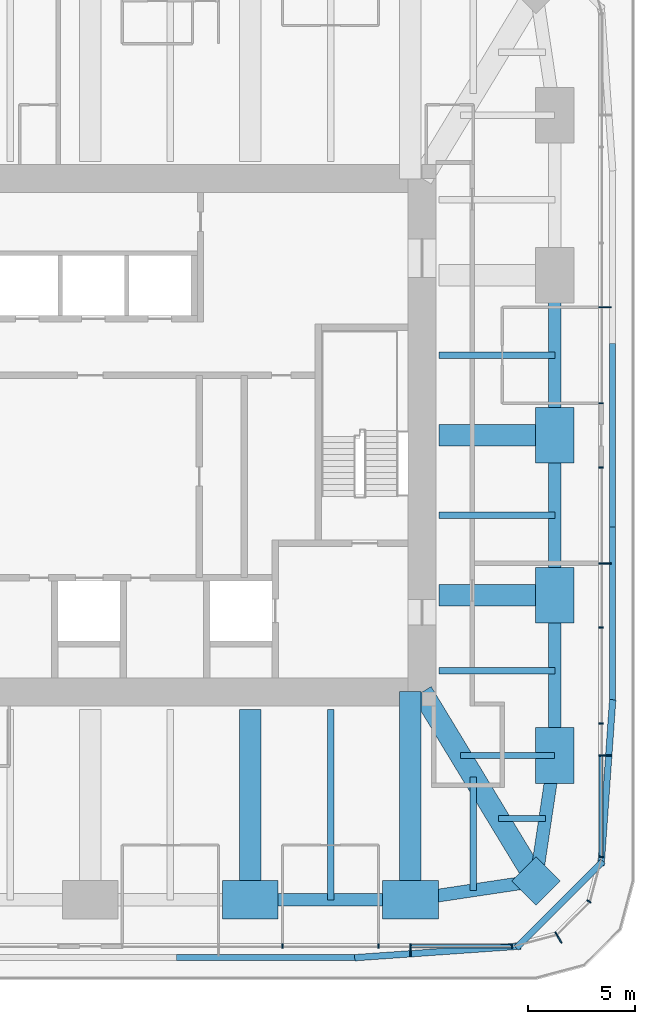
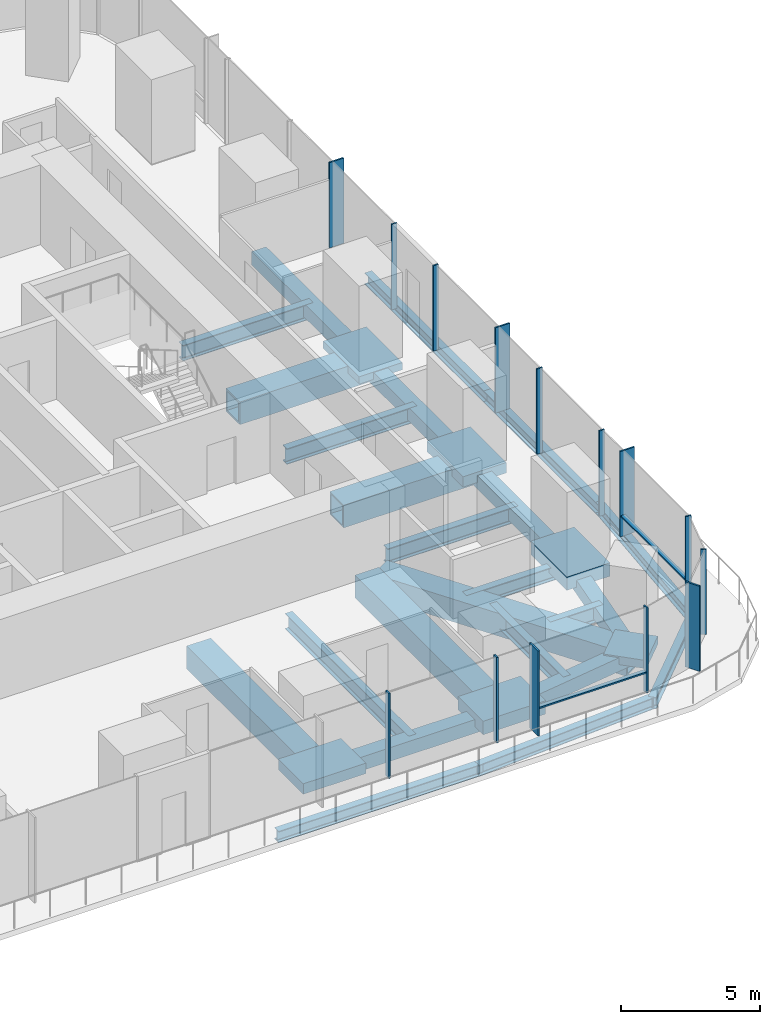
# One storey, part 4 of 15: 33 members, 13 beams, 3 elements without a shape of their own.
"""IFC4 building model written with IfcOpenShell, lengths in metres."""

from ifc_helpers import new_model, si_unit, direction, frame, origin, origin_2d, place, context, subcontext, project, spatial, rectangle, hollow_rectangle, i_section, extrude, material, material_profile, profile_set, type_object, element, aggregate, save


model = new_model("IFC4")

# Units and contexts
model_context = context("Model", 3, precision=1e-05, world=origin(), true_north=direction((0.0, 1.0)))
body_context = subcontext(model_context, "Body", "Model", "MODEL_VIEW")
ifc_project = project(units=[si_unit("LENGTHUNIT", "METRE"), si_unit("AREAUNIT", "SQUARE_METRE"), si_unit("VOLUMEUNIT", "CUBIC_METRE"), si_unit("PLANEANGLEUNIT", "RADIAN"), si_unit("MASSUNIT", "GRAM", prefix="KILO")], contexts=[model_context])

# Site, building, storey
site_placement = place(None, origin())
site = spatial("IfcSite", under=ifc_project, at=site_placement, CompositionType="ELEMENT")
building_placement = place(site_placement, origin())
building = spatial("IfcBuilding", under=site, at=building_placement, Name="Khuree Lantern Residences", CompositionType="ELEMENT")
storey_placement = place(building_placement, frame((0.0, 0.0, 285.75)))
storey = spatial("IfcBuildingStorey", under=building, at=storey_placement, Name="L71", CompositionType="ELEMENT", Elevation=285.75)

# Beams
ifc_material_1 = material(Name="Steel S355", Category="steel")
ifc_material_profile_1 = material_profile(ifc_material_1, i_section(OverallWidth=0.300048828125, OverallDepth=0.68994140625, WebThickness=0.014404296875, FlangeThickness=0.027099609375, FilletRadius=0.027099609375, at=origin_2d()), Name="HE 700 A")
ifc_profile_set_1 = profile_set([ifc_material_profile_1], Name="Steel S355")
beam_type_1 = type_object("IfcBeamType", Name="B-41 SECONDARY BEAM HE 700 A", PredefinedType="BEAM", material=ifc_profile_set_1)
for number, where, z_axis, x_axis, name in (
    (1, (21.716064453125, 3.742431640625, -0.594970703125), (-1.0, 0.0, 0.0), (0.0, -1.0, 0.0), "Secondary beam E3"),
    (2, (21.716064453125, -3.742431640625, -0.594970703125), (-1.0, 0.0, 0.0), (0.0, -1.0, 0.0), "Secondary beam E4"),
    (3, (21.716064453125, -11.0, -0.594970703125), (-1.0, 0.0, 0.0), (0.0, -1.0, 0.0), "Secondary beam E5"),
):
    element("IfcBeam", number, at=place(storey_placement, frame(where, z_axis=z_axis, x_axis=x_axis)), inside=storey, type_object=beam_type_1, Name=name, PredefinedType="BEAM", context=body_context, shape_type="SweptSolid", body=[
        extrude(i_section(OverallWidth=0.300048828125, OverallDepth=0.68994140625, WebThickness=0.014404296875, FlangeThickness=0.027099609375, FilletRadius=0.027099609375, at=origin_2d()), origin(), (0.0, 0.0, 1.0), 5.416015625),
    ])
beam_1_placement = place(storey_placement, frame((21.276123046875, -17.903076171875, -0.594970703125), z_axis=(-1.0, 0.0, 0.0), x_axis=(0.0, -1.0, 0.0)))
element("IfcBeam", 4, at=beam_1_placement, inside=storey, type_object=beam_type_1, Name="Secondary beam E6", PredefinedType="BEAM", context=body_context, shape_type="SweptSolid", body=[
    extrude(i_section(OverallWidth=0.300048828125, OverallDepth=0.68994140625, WebThickness=0.014404296875, FlangeThickness=0.027099609375, FilletRadius=0.027099609375, at=origin_2d()), origin(), (0.0, 0.0, 1.0), 2.19775390625),
])
beam_2_placement = place(storey_placement, frame((17.903076171875, -21.276123046875, -0.594970703125), z_axis=(0.0, 1.0, 0.0), x_axis=(-1.0, 0.0, 0.0)))
element("IfcBeam", 5, at=beam_2_placement, inside=storey, type_object=beam_type_1, Name="Secondary beam S1", PredefinedType="BEAM", context=body_context, shape_type="SweptSolid", body=[
    extrude(i_section(OverallWidth=0.300048828125, OverallDepth=0.68994140625, WebThickness=0.014404296875, FlangeThickness=0.027099609375, FilletRadius=0.027099609375, at=origin_2d()), origin(), (0.0, 0.0, 1.0), 5.31201171875),
])
beam_3_placement = place(storey_placement, frame((11.2275390625, -21.716064453125, -0.594970703125), z_axis=(0.0, 1.0, 0.0), x_axis=(-1.0, 0.0, 0.0)))
element("IfcBeam", 6, at=beam_3_placement, inside=storey, type_object=beam_type_1, Name="Secondary beam S2", PredefinedType="BEAM", context=body_context, shape_type="SweptSolid", body=[
    extrude(i_section(OverallWidth=0.300048828125, OverallDepth=0.68994140625, WebThickness=0.014404296875, FlangeThickness=0.027099609375, FilletRadius=0.027099609375, at=origin_2d()), origin(), (0.0, 0.0, 1.0), 8.916015625),
])

# Members
ifc_material_profile_2 = material_profile(ifc_material_1, hollow_rectangle(XDim=0.60009765625, YDim=0.60009765625, WallThickness=0.050048828125, at=origin_2d()), Name="WELDED BOX 600X600X50")
ifc_profile_set_2 = profile_set([ifc_material_profile_2], Name="Steel S355")
member_type_1 = type_object("IfcMemberType", Name="BT-71 BELT TRUSS CHORD WELDED BOX 600X600X50", PredefinedType="CHORD", material=ifc_profile_set_2)
for number, where, z_axis, x_axis, name in (
    (7, (21.699951171875, 7.47998046875, -0.550048828125), (0.0, -1.0, 0.0), (1.0, 0.0, 0.0), "Belt truss chord E3"),
    (8, (21.699951171875, 0.0, -0.550048828125), (0.0, -1.0, 0.0), (1.0, 0.0, 0.0), "Belt truss chord E4"),
    (9, (21.699951171875, -7.47998046875, -0.550048828125), (0.0, -1.0, 0.0), (1.0, 0.0, 0.0), "Belt truss chord E5"),
):
    element("IfcMember", number, at=place(storey_placement, frame(where, z_axis=z_axis, x_axis=x_axis)), inside=storey, type_object=member_type_1, Name=name, PredefinedType="CHORD", context=body_context, shape_type="SweptSolid", body=[
        extrude(hollow_rectangle(XDim=0.60009765625, YDim=0.60009765625, WallThickness=0.050048828125, at=origin_2d()), origin(), (0.0, 0.0, 1.0), 7.47998046875),
    ])
for number, where, z_axis, x_axis, name in (
    (10, (21.699951171875, -14.9599609375, -0.550048828125), (-0.148251822985, -0.988949643299, 0.0), (0.988949643299, -0.148251822985, 0.0), "Belt truss chord E6"),
    (11, (20.8212890625, -20.8212890625, -0.550048828125), (-0.988949643299, -0.148251822985, 0.0), (0.148251822985, -0.988949643299, 0.0), "Belt truss chord S1"),
):
    element("IfcMember", number, at=place(storey_placement, frame(where, z_axis=z_axis, x_axis=x_axis)), inside=storey, type_object=member_type_1, Name=name, PredefinedType="CHORD", context=body_context, shape_type="SweptSolid", body=[
        extrude(hollow_rectangle(XDim=0.60009765625, YDim=0.60009765625, WallThickness=0.050048828125, at=origin_2d()), origin(), (0.0, 0.0, 1.0), 5.9267578125),
    ])
member_1_placement = place(storey_placement, frame((14.9599609375, -21.699951171875, -0.550048828125), z_axis=(-1.0, 0.0, 0.0), x_axis=(0.0, -1.0, 0.0)))
element("IfcMember", 12, at=member_1_placement, inside=storey, type_object=member_type_1, Name="Belt truss chord S2", PredefinedType="CHORD", context=body_context, shape_type="SweptSolid", body=[
    extrude(hollow_rectangle(XDim=0.60009765625, YDim=0.60009765625, WallThickness=0.050048828125, at=origin_2d()), origin(), (0.0, 0.0, 1.0), 7.47998046875),
])

# Curtain wall, member
ifc_material_2 = material(Name="Bronze anodised aluminium", Category="aluminium")
curtain_wall_type_1 = type_object("IfcCurtainWallType", Name="CW-T2 TOWER CORNER CURTAIN WALL", PredefinedType="USERDEFINED", material=ifc_material_2)
curtain_wall_1_placement = place(storey_placement, origin())
curtain_wall_1 = element("IfcCurtainWall", 13, at=curtain_wall_1_placement, inside=storey, type_object=curtain_wall_type_1, Name="L71 SOUTH-EAST CORNER CURTAIN WALL", ObjectType="Faceted corner curtain wall", PredefinedType="USERDEFINED")
ifc_material_profile_3 = material_profile(ifc_material_2, rectangle(XDim=0.06494140625, YDim=0.60009765625, at=origin_2d()), Name="F1 65X600")
ifc_profile_set_3 = profile_set([ifc_material_profile_3], Name="Bronze anodised aluminium")
member_type_2 = type_object("IfcMemberType", Name="F1 BRONZE FIN MULLION TOWER 65X600", PredefinedType="MULLION", material=ifc_profile_set_3)
member_2_placement = place(storey_placement, frame((21.875, -23.46728515625, 0.0), z_axis=(0.0, 0.0, 1.0), x_axis=(0.866025437565, 0.49999994149, 0.0)))
member_2 = element("IfcMember", 14, at=member_2_placement, type_object=member_type_2, Name="L71 SOUTH-EAST CORNER FIN MULLION 2", PredefinedType="MULLION", context=body_context, shape_type="SweptSolid", body=[
    extrude(rectangle(XDim=0.06494140625, YDim=0.60009765625, at=origin_2d()), origin(), (0.0, 0.0, 1.0), 3.75),
])

# Curtain wall, members
curtain_wall_type_2 = type_object("IfcCurtainWallType", Name="CW-T1 TOWER FACE CURTAIN WALL", PredefinedType="USERDEFINED", material=ifc_material_2)
curtain_wall_2_placement = place(storey_placement, origin())
curtain_wall_2 = element("IfcCurtainWall", 15, at=curtain_wall_2_placement, inside=storey, type_object=curtain_wall_type_2, Name="L71 EAST FACE CURTAIN WALL", ObjectType="Stick-built curtain wall", PredefinedType="USERDEFINED")
member_3_placement = place(storey_placement, frame((24.050048828125, -14.9599609375, 0.0), z_axis=(0.0, 0.0, 1.0), x_axis=(0.0, 1.0, 0.0)))
member_3 = element("IfcMember", 16, at=member_3_placement, type_object=member_type_2, Name="L71 EAST FACE FIN MULLION 5", PredefinedType="MULLION", context=body_context, shape_type="SweptSolid", body=[
    extrude(rectangle(XDim=0.06494140625, YDim=0.60009765625, at=origin_2d()), origin(), (0.0, 0.0, 1.0), 3.75),
])
member_4_placement = place(storey_placement, frame((24.050048828125, -5.98388671875, 0.0), z_axis=(0.0, 0.0, 1.0), x_axis=(0.0, 1.0, 0.0)))
member_4 = element("IfcMember", 17, at=member_4_placement, type_object=member_type_2, Name="L71 EAST FACE FIN MULLION 8", PredefinedType="MULLION", context=body_context, shape_type="SweptSolid", body=[
    extrude(rectangle(XDim=0.06494140625, YDim=0.60009765625, at=origin_2d()), origin(), (0.0, 0.0, 1.0), 3.75),
])
member_5_placement = place(storey_placement, frame((24.050048828125, 5.98388671875, 0.0), z_axis=(0.0, 0.0, 1.0), x_axis=(0.0, 1.0, 0.0)))
member_5 = element("IfcMember", 18, at=member_5_placement, type_object=member_type_2, Name="L71 EAST FACE FIN MULLION 11", PredefinedType="MULLION", context=body_context, shape_type="SweptSolid", body=[
    extrude(rectangle(XDim=0.06494140625, YDim=0.60009765625, at=origin_2d()), origin(), (0.0, 0.0, 1.0), 3.75),
])

# Curtain wall, member
curtain_wall_3_placement = place(storey_placement, origin())
curtain_wall_3 = element("IfcCurtainWall", 19, at=curtain_wall_3_placement, inside=storey, type_object=curtain_wall_type_2, Name="L71 SOUTH FACE CURTAIN WALL", ObjectType="Stick-built curtain wall", PredefinedType="USERDEFINED")
member_6_placement = place(storey_placement, frame((14.9599609375, -24.050048828125, 0.0), z_axis=(0.0, 0.0, 1.0), x_axis=(1.0, 0.0, 0.0)))
member_6 = element("IfcMember", 20, at=member_6_placement, type_object=member_type_2, Name="L71 SOUTH FACE FIN MULLION 56", PredefinedType="MULLION", context=body_context, shape_type="SweptSolid", body=[
    extrude(rectangle(XDim=0.06494140625, YDim=0.60009765625, at=origin_2d()), origin(), (0.0, 0.0, 1.0), 3.75),
])

# Beam
ifc_material_profile_4 = material_profile(ifc_material_1, i_section(OverallWidth=0.300048828125, OverallDepth=0.60009765625, WebThickness=0.015380859375, FlangeThickness=0.030029296875, FilletRadius=0.027099609375, at=origin_2d()), Name="HE 600 B")
ifc_profile_set_4 = profile_set([ifc_material_profile_4], Name="Steel S355")
beam_type_2 = type_object("IfcBeamType", Name="G-41 GIRDER HE 600 B", PredefinedType="BEAM", material=ifc_profile_set_4)
beam_4_placement = place(storey_placement, frame((21.699951171875, -14.9599609375, -0.550048828125), z_axis=(-1.0, 0.0, 0.0), x_axis=(0.0, -1.0, 0.0)))
element("IfcBeam", 21, at=beam_4_placement, inside=storey, type_object=beam_type_2, Name="Girder E5", PredefinedType="BEAM", context=body_context, shape_type="SweptSolid", body=[
    extrude(i_section(OverallWidth=0.300048828125, OverallDepth=0.60009765625, WebThickness=0.015380859375, FlangeThickness=0.030029296875, FilletRadius=0.027099609375, at=origin_2d()), origin(), (0.0, 0.0, 1.0), 4.405517578125),
])

# Member
ifc_material_profile_5 = material_profile(ifc_material_2, rectangle(XDim=0.06494140625, YDim=0.219970703125, at=origin_2d()), Name="M1 65X220")
ifc_profile_set_5 = profile_set([ifc_material_profile_5], Name="Bronze anodised aluminium")
member_type_3 = type_object("IfcMemberType", Name="M1 BRONZE MULLION TOWER 65X220", PredefinedType="MULLION", material=ifc_profile_set_5)
member_7_placement = place(storey_placement, frame((19.695068359375, -23.86181640625, 0.0), z_axis=(0.0, 0.0, 1.0), x_axis=(0.991444870192, 0.130526125236, 0.0)))
member_7 = element("IfcMember", 22, at=member_7_placement, type_object=member_type_3, Name="L71 SOUTH-EAST CORNER MULLION 1", PredefinedType="MULLION", context=body_context, shape_type="SweptSolid", body=[
    extrude(rectangle(XDim=0.06494140625, YDim=0.219970703125, at=origin_2d()), origin(), (0.0, 0.0, 1.0), 3.75),
])

member_8_placement = place(storey_placement, frame((23.302734375, -21.780029296875, 0.0), z_axis=(0.0, 0.0, 1.0), x_axis=(0.49999994149, 0.866025437565, 0.0)))
member_8 = element("IfcMember", 23, at=member_8_placement, type_object=member_type_3, Name="L71 SOUTH-EAST CORNER MULLION 3", PredefinedType="MULLION", context=body_context, shape_type="SweptSolid", body=[
    extrude(rectangle(XDim=0.06494140625, YDim=0.219970703125, at=origin_2d()), origin(), (0.0, 0.0, 1.0), 3.75),
])

aggregate(curtain_wall_1, [member_7, member_2, member_8])

member_9_placement = place(storey_placement, frame((23.86181640625, -19.695068359375, 0.0), z_axis=(0.0, 0.0, 1.0), x_axis=(0.130526125236, 0.991444870192, 0.0)))
member_9 = element("IfcMember", 24, at=member_9_placement, type_object=member_type_3, Name="L71 EAST FACE MULLION 4", PredefinedType="MULLION", context=body_context, shape_type="SweptSolid", body=[
    extrude(rectangle(XDim=0.06494140625, YDim=0.219970703125, at=origin_2d()), origin(), (0.0, 0.0, 1.0), 3.75),
])

member_10_placement = place(storey_placement, frame((23.860107421875, -13.464111328125, 0.0), z_axis=(0.0, 0.0, 1.0), x_axis=(0.0, 1.0, 0.0)))
member_10 = element("IfcMember", 25, at=member_10_placement, type_object=member_type_3, Name="L71 EAST FACE MULLION 6", PredefinedType="MULLION", context=body_context, shape_type="SweptSolid", body=[
    extrude(rectangle(XDim=0.06494140625, YDim=0.219970703125, at=origin_2d()), origin(), (0.0, 0.0, 1.0), 3.75),
])

member_11_placement = place(storey_placement, frame((23.860107421875, -8.97607421875, 0.0), z_axis=(0.0, 0.0, 1.0), x_axis=(0.0, 1.0, 0.0)))
member_11 = element("IfcMember", 26, at=member_11_placement, type_object=member_type_3, Name="L71 EAST FACE MULLION 7", PredefinedType="MULLION", context=body_context, shape_type="SweptSolid", body=[
    extrude(rectangle(XDim=0.06494140625, YDim=0.219970703125, at=origin_2d()), origin(), (0.0, 0.0, 1.0), 3.75),
])

member_12_placement = place(storey_placement, frame((23.860107421875, -1.49609375, 0.0), z_axis=(0.0, 0.0, 1.0), x_axis=(0.0, 1.0, 0.0)))
member_12 = element("IfcMember", 27, at=member_12_placement, type_object=member_type_3, Name="L71 EAST FACE MULLION 9", PredefinedType="MULLION", context=body_context, shape_type="SweptSolid", body=[
    extrude(rectangle(XDim=0.06494140625, YDim=0.219970703125, at=origin_2d()), origin(), (0.0, 0.0, 1.0), 3.75),
])

member_13_placement = place(storey_placement, frame((23.860107421875, 1.49609375, 0.0), z_axis=(0.0, 0.0, 1.0), x_axis=(0.0, 1.0, 0.0)))
member_13 = element("IfcMember", 28, at=member_13_placement, type_object=member_type_3, Name="L71 EAST FACE MULLION 10", PredefinedType="MULLION", context=body_context, shape_type="SweptSolid", body=[
    extrude(rectangle(XDim=0.06494140625, YDim=0.219970703125, at=origin_2d()), origin(), (0.0, 0.0, 1.0), 3.75),
])

member_14_placement = place(storey_placement, frame((8.97607421875, -23.860107421875, 0.0), z_axis=(0.0, 0.0, 1.0), x_axis=(1.0, 0.0, 0.0)))
member_14 = element("IfcMember", 29, at=member_14_placement, type_object=member_type_3, Name="L71 SOUTH FACE MULLION 54", PredefinedType="MULLION", context=body_context, shape_type="SweptSolid", body=[
    extrude(rectangle(XDim=0.06494140625, YDim=0.219970703125, at=origin_2d()), origin(), (0.0, 0.0, 1.0), 3.75),
])

member_15_placement = place(storey_placement, frame((13.464111328125, -23.860107421875, 0.0), z_axis=(0.0, 0.0, 1.0), x_axis=(1.0, 0.0, 0.0)))
member_15 = element("IfcMember", 30, at=member_15_placement, type_object=member_type_3, Name="L71 SOUTH FACE MULLION 55", PredefinedType="MULLION", context=body_context, shape_type="SweptSolid", body=[
    extrude(rectangle(XDim=0.06494140625, YDim=0.219970703125, at=origin_2d()), origin(), (0.0, 0.0, 1.0), 3.75),
])

# Members
ifc_material_3 = material(Name="Concrete C70/85", Category="concrete")
ifc_material_profile_6 = material_profile(ifc_material_3, rectangle(XDim=2.60009765625, YDim=1.800048828125, at=origin_2d()), Name="RC 2600X1800")
ifc_profile_set_6 = profile_set([ifc_material_profile_6], Name="Concrete C70/85")
member_type_4 = type_object("IfcMemberType", Name="MNC MEGA COLUMN NODE RC 2600X1800", PredefinedType="MEMBER", material=ifc_profile_set_6)
member_16_placement = place(storey_placement, frame((21.699951171875, 0.0, -0.550048828125), z_axis=(0.0, 0.0, 1.0), x_axis=(0.0, 1.0, 0.0)))
element("IfcMember", 31, at=member_16_placement, inside=storey, type_object=member_type_4, Name="Mega column node E3", PredefinedType="MEMBER", context=body_context, shape_type="SweptSolid", body=[
    extrude(rectangle(XDim=2.60009765625, YDim=1.800048828125, at=origin_2d()), origin(), (0.0, 0.0, 1.0), 0.320068359375),
])
member_17_placement = place(storey_placement, frame((21.699951171875, -7.47998046875, -0.550048828125), z_axis=(0.0, 0.0, 1.0), x_axis=(0.0, 1.0, 0.0)))
element("IfcMember", 32, at=member_17_placement, inside=storey, type_object=member_type_4, Name="Mega column node E4", PredefinedType="MEMBER", context=body_context, shape_type="SweptSolid", body=[
    extrude(rectangle(XDim=2.60009765625, YDim=1.800048828125, at=origin_2d()), origin(), (0.0, 0.0, 1.0), 0.4599609375),
])
for number, where, z_axis, x_axis, name in (
    (33, (21.699951171875, -14.9599609375, -0.550048828125), (0.0, 0.0, 1.0), (0.0, 1.0, 0.0), "Mega column node E5"),
    (34, (14.9599609375, -21.699951171875, -0.550048828125), (0.0, 0.0, 1.0), (1.0, 0.0, 0.0), "Mega column node S1"),
):
    element("IfcMember", number, at=place(storey_placement, frame(where, z_axis=z_axis, x_axis=x_axis)), inside=storey, type_object=member_type_4, Name=name, PredefinedType="MEMBER", context=body_context, shape_type="SweptSolid", body=[
        extrude(rectangle(XDim=2.60009765625, YDim=1.800048828125, at=origin_2d()), origin(), (0.0, 0.0, 1.0), 0.590087890625),
    ])
member_18_placement = place(storey_placement, frame((7.47998046875, -21.699951171875, -0.550048828125), z_axis=(0.0, 0.0, 1.0), x_axis=(1.0, 0.0, 0.0)))
element("IfcMember", 35, at=member_18_placement, inside=storey, type_object=member_type_4, Name="Mega column node S2", PredefinedType="MEMBER", context=body_context, shape_type="SweptSolid", body=[
    extrude(rectangle(XDim=2.60009765625, YDim=1.800048828125, at=origin_2d()), origin(), (0.0, 0.0, 1.0), 0.4599609375),
])
ifc_material_profile_7 = material_profile(ifc_material_3, rectangle(XDim=1.60009765625, YDim=1.60009765625, at=origin_2d()), Name="RC 1600X1600")
ifc_profile_set_7 = profile_set([ifc_material_profile_7], Name="Concrete C70/85")
member_type_5 = type_object("IfcMemberType", Name="MND MEGA COLUMN NODE RC 1600X1600", PredefinedType="MEMBER", material=ifc_profile_set_7)
member_19_placement = place(storey_placement, frame((20.8212890625, -20.8212890625, -0.550048828125), z_axis=(0.0, 0.0, 1.0), x_axis=(0.707106781187, 0.707106781187, 0.0)))
element("IfcMember", 36, at=member_19_placement, inside=storey, type_object=member_type_5, Name="Mega column node SE", PredefinedType="MEMBER", context=body_context, shape_type="SweptSolid", body=[
    extrude(rectangle(XDim=1.60009765625, YDim=1.60009765625, at=origin_2d()), origin(), (0.0, 0.0, 1.0), 0.360107421875),
])
ifc_material_profile_8 = material_profile(ifc_material_1, hollow_rectangle(XDim=1.0, YDim=1.0, WallThickness=0.080078125, at=origin_2d()), Name="WELDED BOX 1000X1000X80")
ifc_profile_set_8 = profile_set([ifc_material_profile_8], Name="Steel S355")
member_type_6 = type_object("IfcMemberType", Name="OT-71 OUTRIGGER TRUSS CHORD WELDED BOX 1000X1000X80", PredefinedType="CHORD", material=ifc_profile_set_8)
for number, where, z_axis, x_axis, name in (
    (37, (21.699951171875, 0.0, -0.75), (-1.0, 0.0, 0.0), (0.0, -1.0, 0.0), "Outrigger chord E3"),
    (38, (21.699951171875, -7.47998046875, -0.75), (-1.0, 0.0, 0.0), (0.0, -1.0, 0.0), "Outrigger chord E4"),
):
    element("IfcMember", number, at=place(storey_placement, frame(where, z_axis=z_axis, x_axis=x_axis)), inside=storey, type_object=member_type_6, Name=name, PredefinedType="CHORD", context=body_context, shape_type="SweptSolid", body=[
        extrude(hollow_rectangle(XDim=1.0, YDim=1.0, WallThickness=0.080078125, at=origin_2d()), origin(), (0.0, 0.0, 1.0), 5.39990234375),
    ])
member_20_placement = place(storey_placement, frame((14.9599609375, -21.699951171875, -0.75), z_axis=(0.0, 1.0, 0.0), x_axis=(-1.0, 0.0, 0.0)))
element("IfcMember", 39, at=member_20_placement, inside=storey, type_object=member_type_6, Name="Outrigger chord S1", PredefinedType="CHORD", context=body_context, shape_type="SweptSolid", body=[
    extrude(hollow_rectangle(XDim=1.0, YDim=1.0, WallThickness=0.080078125, at=origin_2d()), origin(), (0.0, 0.0, 1.0), 9.72265625),
])
member_21_placement = place(storey_placement, frame((7.47998046875, -21.699951171875, -0.75), z_axis=(0.0, 1.0, 0.0), x_axis=(-1.0, 0.0, 0.0)))
element("IfcMember", 40, at=member_21_placement, inside=storey, type_object=member_type_6, Name="Outrigger chord S2", PredefinedType="CHORD", context=body_context, shape_type="SweptSolid", body=[
    extrude(hollow_rectangle(XDim=1.0, YDim=1.0, WallThickness=0.080078125, at=origin_2d()), origin(), (0.0, 0.0, 1.0), 8.89990234375),
])
member_22_placement = place(storey_placement, frame((20.8876953125, -20.8876953125, -0.75), z_axis=(-0.518387093146, 0.855146082059, 0.0), x_axis=(-0.855146082059, -0.518387093146, 0.0)))
element("IfcMember", 41, at=member_22_placement, inside=storey, type_object=member_type_6, Name="Outrigger chord SE", PredefinedType="CHORD", context=body_context, shape_type="SweptSolid", body=[
    extrude(hollow_rectangle(XDim=1.0, YDim=1.0, WallThickness=0.080078125, at=origin_2d()), origin(), (0.0, 0.0, 1.0), 10.393310546875),
])

# Beams
ifc_material_profile_9 = material_profile(ifc_material_1, i_section(OverallWidth=0.300048828125, OverallDepth=0.5, WebThickness=0.014404296875, FlangeThickness=0.028076171875, FilletRadius=0.027099609375, at=origin_2d()), Name="HE 500 B")
ifc_profile_set_9 = profile_set([ifc_material_profile_9], Name="Steel S355")
beam_type_3 = type_object("IfcBeamType", Name="TB1 TERRACE EDGE BEAM HE 500 B", PredefinedType="BEAM", material=ifc_profile_set_9)
beam_5_placement = place(storey_placement, frame((24.39990234375, 4.284912109375, -0.5), z_axis=(0.0, -1.0, 0.0), x_axis=(1.0, 0.0, 0.0)))
element("IfcBeam", 42, at=beam_5_placement, inside=storey, type_object=beam_type_3, Name="Terrace edge beam E3", PredefinedType="BEAM", context=body_context, shape_type="SweptSolid", body=[
    extrude(i_section(OverallWidth=0.300048828125, OverallDepth=0.5, WebThickness=0.014404296875, FlangeThickness=0.028076171875, FilletRadius=0.027099609375, at=origin_2d()), origin(), (0.0, 0.0, 1.0), 8.56982421875),
])
beam_6_placement = place(storey_placement, frame((24.39990234375, -4.034912109375, -0.5), z_axis=(0.0, -1.0, 0.0), x_axis=(1.0, 0.0, 0.0)))
element("IfcBeam", 43, at=beam_6_placement, inside=storey, type_object=beam_type_3, Name="Terrace edge beam E4", PredefinedType="BEAM", context=body_context, shape_type="SweptSolid", body=[
    extrude(i_section(OverallWidth=0.300048828125, OverallDepth=0.5, WebThickness=0.014404296875, FlangeThickness=0.028076171875, FilletRadius=0.027099609375, at=origin_2d()), origin(), (0.0, 0.0, 1.0), 8.570068359375),
])
beam_7_placement = place(storey_placement, frame((24.40869140625, -12.355224609375, -0.5), z_axis=(-0.069998351758, -0.997547107034, 0.0), x_axis=(0.997547107034, -0.069998351758, 0.0)))
element("IfcBeam", 44, at=beam_7_placement, inside=storey, type_object=beam_type_3, Name="Terrace edge beam E5", PredefinedType="BEAM", context=body_context, shape_type="SweptSolid", body=[
    extrude(i_section(OverallWidth=0.300048828125, OverallDepth=0.5, WebThickness=0.014404296875, FlangeThickness=0.028076171875, FilletRadius=0.027099609375, at=origin_2d()), origin(), (0.0, 0.0, 1.0), 7.78125),
])
beam_8_placement = place(storey_placement, frame((23.961181640625, -19.904296875, -0.5), z_axis=(-0.707106781187, -0.707106781187, 0.0), x_axis=(0.707106781187, -0.707106781187, 0.0)))
element("IfcBeam", 45, at=beam_8_placement, inside=storey, type_object=beam_type_3, Name="Terrace edge beam E6", PredefinedType="BEAM", context=body_context, shape_type="SweptSolid", body=[
    extrude(i_section(OverallWidth=0.300048828125, OverallDepth=0.5, WebThickness=0.014404296875, FlangeThickness=0.028076171875, FilletRadius=0.027099609375, at=origin_2d()), origin(), (0.0, 0.0, 1.0), 5.7373046875),
])
beam_9_placement = place(storey_placement, frame((20.117431640625, -23.864013671875, -0.5), z_axis=(-0.997547107034, -0.069998351758, 0.0), x_axis=(0.069998351758, -0.997547107034, 0.0)))
element("IfcBeam", 46, at=beam_9_placement, inside=storey, type_object=beam_type_3, Name="Terrace edge beam S1", PredefinedType="BEAM", context=body_context, shape_type="SweptSolid", body=[
    extrude(i_section(OverallWidth=0.300048828125, OverallDepth=0.5, WebThickness=0.014404296875, FlangeThickness=0.028076171875, FilletRadius=0.027099609375, at=origin_2d()), origin(), (0.0, 0.0, 1.0), 7.78125),
])
beam_10_placement = place(storey_placement, frame((12.60498046875, -24.39990234375, -0.5), z_axis=(-1.0, 0.0, 0.0), x_axis=(0.0, -1.0, 0.0)))
element("IfcBeam", 47, at=beam_10_placement, inside=storey, type_object=beam_type_3, Name="Terrace edge beam S2", PredefinedType="BEAM", context=body_context, shape_type="SweptSolid", body=[
    extrude(i_section(OverallWidth=0.300048828125, OverallDepth=0.5, WebThickness=0.014404296875, FlangeThickness=0.028076171875, FilletRadius=0.027099609375, at=origin_2d()), origin(), (0.0, 0.0, 1.0), 8.570068359375),
])

# Member
ifc_material_profile_10 = material_profile(ifc_material_2, rectangle(XDim=0.179931640625, YDim=0.06494140625, at=origin_2d()), Name="T1 180X65")
ifc_profile_set_10 = profile_set([ifc_material_profile_10], Name="Bronze anodised aluminium")
member_type_7 = type_object("IfcMemberType", Name="TRANSOM T1 TOWER 180X65", PredefinedType="USERDEFINED", material=ifc_profile_set_10)
member_23_placement = place(storey_placement, frame((23.8701171875, -19.6513671875, 0.89990234375), z_axis=(0.0, 1.0, 0.0), x_axis=(-1.0, 0.0, 0.0)))
member_23 = element("IfcMember", 48, at=member_23_placement, type_object=member_type_7, Name="L71 EAST FACE TRANSOM 4.1", ObjectType="Transom", PredefinedType="USERDEFINED", context=body_context, shape_type="SweptSolid", body=[
    extrude(rectangle(XDim=0.179931640625, YDim=0.06494140625, at=origin_2d()), origin(), (0.0, 0.0, 1.0), 4.658935546875),
])

aggregate(curtain_wall_2, [member_9, member_3, member_10, member_11, member_4, member_12, member_13, member_5, member_23])

member_24_placement = place(storey_placement, frame((14.992431640625, -23.8701171875, 0.89990234375), z_axis=(1.0, 0.0, 0.0), x_axis=(0.0, 1.0, 0.0)))
member_24 = element("IfcMember", 49, at=member_24_placement, type_object=member_type_7, Name="L71 SOUTH FACE TRANSOM 56.1", ObjectType="Transom", PredefinedType="USERDEFINED", context=body_context, shape_type="SweptSolid", body=[
    extrude(rectangle(XDim=0.179931640625, YDim=0.06494140625, at=origin_2d()), origin(), (0.0, 0.0, 1.0), 4.658935546875),
])

aggregate(curtain_wall_3, [member_14, member_15, member_6, member_24])

save(model, "model.ifc")
